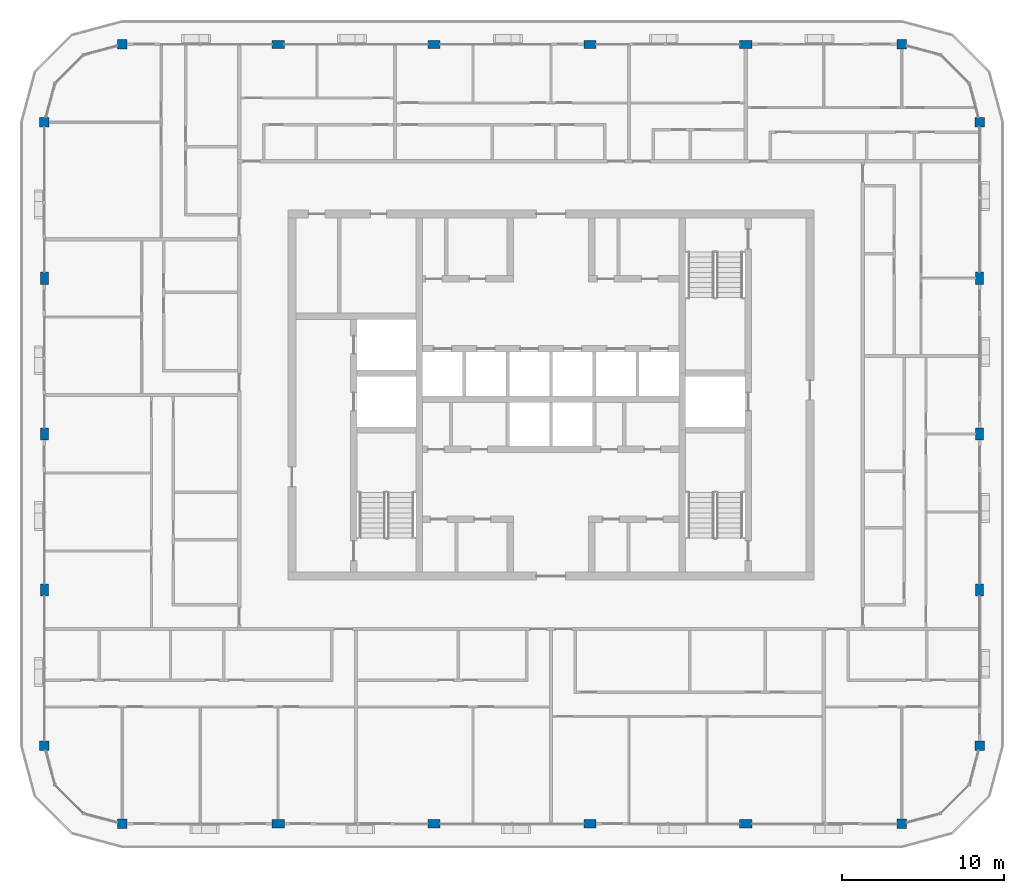
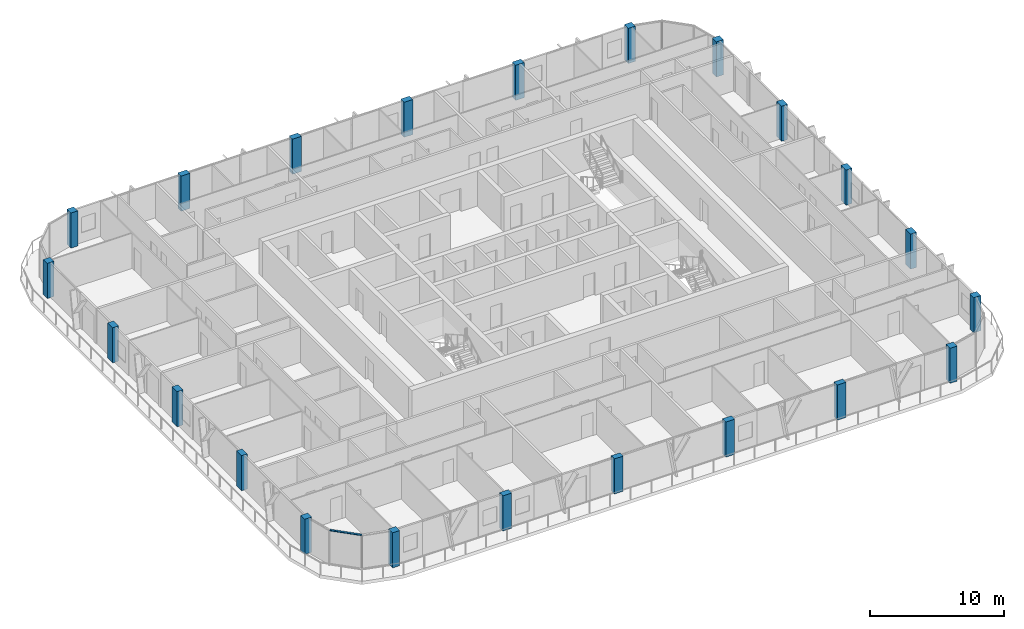
# One storey, part 1 of 21: 22 columns, 1 member, 1 element without a shape of its own.
"""IFC4 building model written with IfcOpenShell, lengths in metres."""

from ifc_helpers import new_model, si_unit, direction, frame, origin, origin_2d, place, context, subcontext, project, spatial, rectangle, extrude, material, layer, layer_set, material_profile, profile_set, type_object, element, aggregate, save


model = new_model("IFC4")

# Units and contexts
model_context = context("Model", 3, precision=1e-05, world=origin(), true_north=direction((0.0, 1.0)))
body_context = subcontext(model_context, "Body", "Model", "MODEL_VIEW")
ifc_project = project(units=[si_unit("LENGTHUNIT", "METRE"), si_unit("AREAUNIT", "SQUARE_METRE"), si_unit("VOLUMEUNIT", "CUBIC_METRE"), si_unit("PLANEANGLEUNIT", "RADIAN"), si_unit("MASSUNIT", "GRAM", prefix="KILO")], contexts=[model_context])

# Site, building, storey
site_placement = place(None, origin())
site = spatial("IfcSite", under=ifc_project, at=site_placement, CompositionType="ELEMENT")
building_placement = place(site_placement, origin())
building = spatial("IfcBuilding", under=site, at=building_placement, Name="Madar Terraces", CompositionType="ELEMENT")
storey_placement = place(building_placement, frame((0.0, 0.0, 268.60009765625)))
storey = spatial("IfcBuildingStorey", under=building, at=storey_placement, Name="L70", CompositionType="ELEMENT", Elevation=268.60009765625)

# Columns
ifc_material_1 = material(Name="Concrete C50/60", Category="concrete")
ifc_material_profile_1 = material_profile(ifc_material_1, rectangle(XDim=0.75, YDim=0.5, at=origin_2d()), Name="CC6 RC 750x500")
ifc_profile_set_1 = profile_set([ifc_material_profile_1], Name="Concrete C50/60")
column_type_1 = type_object("IfcColumnType", Name="CC6 RC 750x500", PredefinedType="COLUMN", material=ifc_profile_set_1)
for number, where, z_axis, x_axis, name in (
    (1, (14.39990234375, 0.0, 0.0), (0.0, 0.0, 1.0), (1.0, 0.0, 0.0), "Perimeter column S2"),
    (2, (24.0, 0.0, 0.0), (0.0, 0.0, 1.0), (1.0, 0.0, 0.0), "Perimeter column S3"),
    (3, (33.60009765625, 0.0, 0.0), (0.0, 0.0, 1.0), (1.0, 0.0, 0.0), "Perimeter column S4"),
    (4, (43.199951171875, 0.0, 0.0), (0.0, 0.0, 1.0), (1.0, 0.0, 0.0), "Perimeter column S5"),
    (5, (57.60009765625, 14.39990234375, 0.0), (0.0, 0.0, 1.0), (0.0, 1.0, 0.0), "Perimeter column E2"),
    (6, (57.60009765625, 24.0, 0.0), (0.0, 0.0, 1.0), (0.0, 1.0, 0.0), "Perimeter column E3"),
    (7, (57.60009765625, 33.60009765625, 0.0), (0.0, 0.0, 1.0), (0.0, 1.0, 0.0), "Perimeter column E4"),
    (8, (43.199951171875, 48.0, 0.0), (0.0, 0.0, 1.0), (1.0, 0.0, 0.0), "Perimeter column N2"),
    (9, (33.60009765625, 48.0, 0.0), (0.0, 0.0, 1.0), (1.0, 0.0, 0.0), "Perimeter column N3"),
    (10, (24.0, 48.0, 0.0), (0.0, 0.0, 1.0), (1.0, 0.0, 0.0), "Perimeter column N4"),
    (11, (14.39990234375, 48.0, 0.0), (0.0, 0.0, 1.0), (1.0, 0.0, 0.0), "Perimeter column N5"),
    (12, (0.0, 33.60009765625, 0.0), (0.0, 0.0, 1.0), (0.0, 1.0, 0.0), "Perimeter column W2"),
    (13, (0.0, 24.0, 0.0), (0.0, 0.0, 1.0), (0.0, 1.0, 0.0), "Perimeter column W3"),
    (14, (0.0, 14.39990234375, 0.0), (0.0, 0.0, 1.0), (0.0, 1.0, 0.0), "Perimeter column W4"),
):
    element("IfcColumn", number, at=place(storey_placement, frame(where, z_axis=z_axis, x_axis=x_axis)), inside=storey, type_object=column_type_1, Name=name, PredefinedType="COLUMN", context=body_context, shape_type="SweptSolid", body=[
        extrude(rectangle(XDim=0.75, YDim=0.5, at=origin_2d()), origin(), (0.0, 0.0, 1.0), 3.199951171875),
    ])
ifc_material_2 = material(Name="Concrete C50/60", Category="concrete")
ifc_material_profile_2 = material_profile(ifc_material_2, rectangle(XDim=0.60009765625, YDim=0.60009765625, at=origin_2d()), Name="KC6 RC 600x600")
ifc_profile_set_2 = profile_set([ifc_material_profile_2], Name="Concrete C50/60")
column_type_2 = type_object("IfcColumnType", Name="KC6 RC 600x600", PredefinedType="COLUMN", material=ifc_profile_set_2)
for number, where, z_axis, x_axis, name in (
    (15, (4.800048828125, 0.0, 0.0), (0.0, 0.0, 1.0), (1.0, 0.0, 0.0), "Perimeter column S1"),
    (16, (52.800048828125, 0.0, 0.0), (0.0, 0.0, 1.0), (1.0, 0.0, 0.0), "Perimeter column S6"),
    (17, (57.60009765625, 4.800048828125, 0.0), (0.0, 0.0, 1.0), (1.0, 0.0, 0.0), "Perimeter column E1"),
    (18, (57.60009765625, 43.199951171875, 0.0), (0.0, 0.0, 1.0), (1.0, 0.0, 0.0), "Perimeter column E5"),
    (19, (52.800048828125, 48.0, 0.0), (0.0, 0.0, 1.0), (1.0, 0.0, 0.0), "Perimeter column N1"),
    (20, (4.800048828125, 48.0, 0.0), (0.0, 0.0, 1.0), (1.0, 0.0, 0.0), "Perimeter column N6"),
    (21, (0.0, 43.199951171875, 0.0), (0.0, 0.0, 1.0), (1.0, 0.0, 0.0), "Perimeter column W1"),
    (22, (0.0, 4.800048828125, 0.0), (0.0, 0.0, 1.0), (1.0, 0.0, 0.0), "Perimeter column W5"),
):
    element("IfcColumn", number, at=place(storey_placement, frame(where, z_axis=z_axis, x_axis=x_axis)), inside=storey, type_object=column_type_2, Name=name, PredefinedType="COLUMN", context=body_context, shape_type="SweptSolid", body=[
        extrude(rectangle(XDim=0.60009765625, YDim=0.60009765625, at=origin_2d()), origin(), (0.0, 0.0, 1.0), 3.199951171875),
    ])

# Curtain wall, member
ifc_material_3 = material(Name="Glass, ceramic frit dark grey, with black aluminium frame", Category="aluminium")
ifc_layer = layer(ifc_material_3, 0.199951171875)
ifc_layer_set = layer_set([ifc_layer], Name="Facade curtain wall, fritted glass")
curtain_wall_type = type_object("IfcCurtainWallType", Name="Facade curtain wall, fritted glass", PredefinedType="NOTDEFINED", material=ifc_layer_set)
curtain_wall_placement = place(storey_placement, origin())
curtain_wall = element("IfcCurtainWall", 23, at=curtain_wall_placement, inside=storey, type_object=curtain_wall_type, Name="Outer skin curtain wall south-west corner", PredefinedType="NOTDEFINED")
ifc_material_4 = material(Name="Aluminium, black anodised", Category="aluminium")
ifc_material_profile_3 = material_profile(ifc_material_4, rectangle(XDim=0.1201171875, YDim=0.06005859375, at=origin_2d()), Name="Facade transom 60x120")
ifc_profile_set_3 = profile_set([ifc_material_profile_3], Name="Aluminium, black anodised")
member_type = type_object("IfcMemberType", Name="Facade transom 60x120", PredefinedType="USERDEFINED", material=ifc_profile_set_3)
member_placement = place(storey_placement, frame((0.664306640625, 2.37890625, 3.169921875), z_axis=(0.707106781187, -0.707106781187, 0.0), x_axis=(0.707106781187, 0.707106781187, 0.0)))
member = element("IfcMember", 24, at=member_placement, type_object=member_type, Name="Transom 2", ObjectType="TRANSOM", PredefinedType="USERDEFINED", context=body_context, shape_type="SweptSolid", body=[
    extrude(rectangle(XDim=0.1201171875, YDim=0.06005859375, at=origin_2d()), origin(), (0.0, 0.0, 1.0), 2.4248046875),
])
aggregate(curtain_wall, [member])

save(model, "model.ifc")
